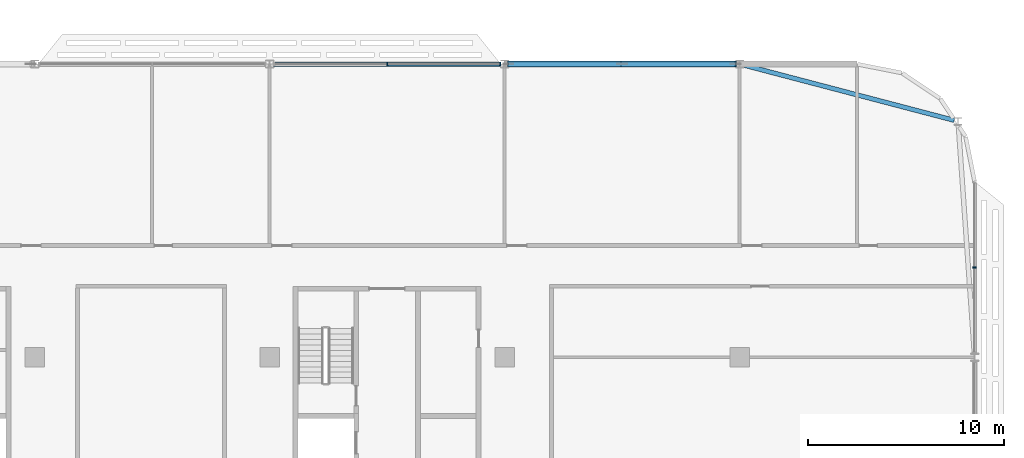
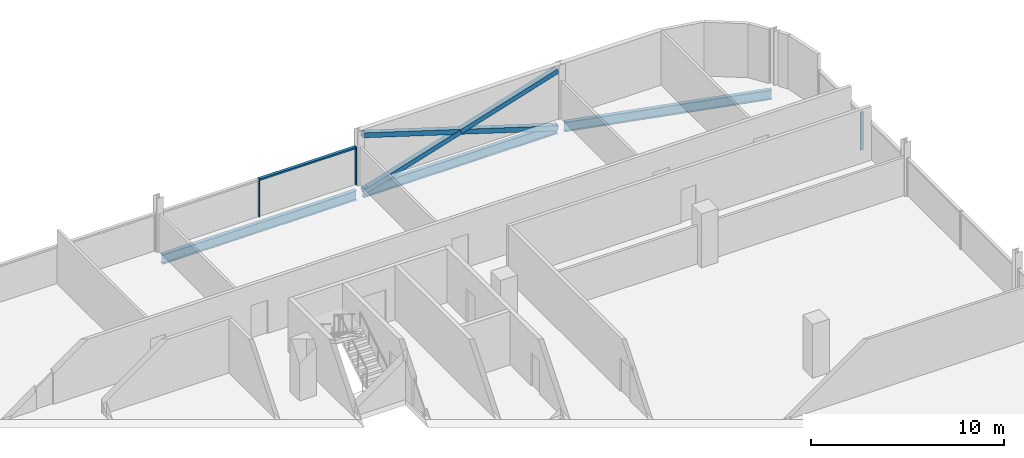
# One storey, part 14 of 33: 7 members, 3 beams, 2 elements without a shape of their own.
"""IFC4 building model written with IfcOpenShell, lengths in metres."""

from ifc_helpers import new_model, si_unit, direction, frame, origin, origin_2d, place, context, subcontext, project, spatial, rectangle, hollow_rectangle, i_section, extrude, material, material_profile, profile_set, type_object, element, aggregate, save


model = new_model("IFC4")

# Units and contexts
model_context = context("Model", 3, precision=1e-05, world=origin(), true_north=direction((0.0, 1.0)))
body_context = subcontext(model_context, "Body", "Model", "MODEL_VIEW")
ifc_project = project(units=[si_unit("LENGTHUNIT", "METRE"), si_unit("AREAUNIT", "SQUARE_METRE"), si_unit("VOLUMEUNIT", "CUBIC_METRE"), si_unit("PLANEANGLEUNIT", "RADIAN"), si_unit("MASSUNIT", "GRAM", prefix="KILO")], contexts=[model_context])

# Site, building, storey
site_placement = place(None, origin())
site = spatial("IfcSite", under=ifc_project, at=site_placement, CompositionType="ELEMENT")
building_placement = place(site_placement, origin())
building = spatial("IfcBuilding", under=site, at=building_placement, Name="Mahtab Terrace Research Tower", CompositionType="ELEMENT")
storey_placement = place(building_placement, frame((0.0, 0.0, 255.199951171875)))
storey = spatial("IfcBuildingStorey", under=building, at=storey_placement, Name="L62", CompositionType="ELEMENT", Elevation=255.199951171875)

# Members
ifc_material_1 = material(Name="Steel ASTM A500 Gr C", Category="steel")
ifc_material_profile_1 = material_profile(ifc_material_1, hollow_rectangle(XDim=0.3046875, YDim=0.3046875, WallThickness=0.015869140625, at=origin_2d()), Name="HSS12X12X5/8")
ifc_profile_set_1 = profile_set([ifc_material_profile_1], Name="Steel ASTM A500 Gr C")
member_type_1 = type_object("IfcMemberType", Name="HSS 12x12x5/8 brace XB121258", PredefinedType="BRACE", material=ifc_profile_set_1)
member_1_placement = place(storey_placement, frame((41.800537109375, 26.472900390625, -0.581298828125), z_axis=(-0.954704930232, 0.0, 0.297554190343), x_axis=(0.0, -1.0, 0.0)))
element("IfcMember", 1, at=member_1_placement, inside=storey, type_object=member_type_1, Name="Exoskeleton brace L62 02 a", PredefinedType="BRACE", context=body_context, shape_type="SweptSolid", body=[
    extrude(hollow_rectangle(XDim=0.3046875, YDim=0.3046875, WallThickness=0.015869140625, at=origin_2d()), origin(), (0.0, 0.0, 1.0), 12.1513671875),
])
for number, where, z_axis, x_axis, name in (
    (2, (30.199462890625, 26.472900390625, -0.581298828125), (0.954704930232, 0.0, 0.297554190343), (0.0, 1.0, 0.0), "Exoskeleton brace L62 02 b1"),
    (3, (36.0, 26.472900390625, 1.2265625), (0.954704930232, 0.0, 0.297554190343), (0.0, 1.0, 0.0), "Exoskeleton brace L62 02 b2"),
):
    element("IfcMember", number, at=place(storey_placement, frame(where, z_axis=z_axis, x_axis=x_axis)), inside=storey, type_object=member_type_1, Name=name, PredefinedType="BRACE", context=body_context, shape_type="SweptSolid", body=[
        extrude(hollow_rectangle(XDim=0.3046875, YDim=0.3046875, WallThickness=0.015869140625, at=origin_2d()), origin(), (0.0, 0.0, 1.0), 6.07568359375),
    ])

# Curtain wall, members
ifc_material_2 = material(Name="Office ribbon curtain wall")
curtain_wall_type = type_object("IfcCurtainWallType", Name="Office ribbon curtain wall", PredefinedType="NOTDEFINED", material=ifc_material_2)
curtain_wall_1_placement = place(storey_placement, origin())
curtain_wall_1 = element("IfcCurtainWall", 4, at=curtain_wall_1_placement, inside=storey, type_object=curtain_wall_type, Name="EN.L62.3.6", PredefinedType="NOTDEFINED")
ifc_material_3 = material(Name="Natural anodised aluminium", Category="aluminium")
ifc_material_profile_2 = material_profile(ifc_material_3, rectangle(XDim=0.179931640625, YDim=0.06005859375, at=origin_2d()), Name="MULLION 60x180")
ifc_profile_set_2 = profile_set([ifc_material_profile_2], Name="Natural anodised aluminium")
member_type_2 = type_object("IfcMemberType", Name="Office ribbon curtain wall mullion", PredefinedType="MULLION", material=ifc_profile_set_2)
member_2_placement = place(storey_placement, frame((29.777099609375, 26.472900390625, 0.0), z_axis=(0.0, 0.0, 1.0), x_axis=(0.0, -1.0, 0.0)))
member_2 = element("IfcMember", 5, at=member_2_placement, type_object=member_type_2, Name="CWO-7 mullion 1", PredefinedType="MULLION", context=body_context, shape_type="SweptSolid", body=[
    extrude(rectangle(XDim=0.179931640625, YDim=0.06005859375, at=origin_2d()), origin(), (0.0, 0.0, 1.0), 2.4013671875),
])
member_3_placement = place(storey_placement, frame((24.0, 26.472900390625, 0.0), z_axis=(0.0, 0.0, 1.0), x_axis=(0.0, -1.0, 0.0)))
member_3 = element("IfcMember", 6, at=member_3_placement, type_object=member_type_2, Name="CWO-7 mullion 2", PredefinedType="MULLION", context=body_context, shape_type="SweptSolid", body=[
    extrude(rectangle(XDim=0.179931640625, YDim=0.06005859375, at=origin_2d()), origin(), (0.0, 0.0, 1.0), 2.4013671875),
])

# Curtain wall, member
curtain_wall_2_placement = place(storey_placement, origin())
curtain_wall_2 = element("IfcCurtainWall", 7, at=curtain_wall_2_placement, inside=storey, type_object=curtain_wall_type, Name="EN.L62.18.40", PredefinedType="NOTDEFINED")
member_4_placement = place(storey_placement, frame((54.0, 16.0830078125, 0.0), z_axis=(0.0, 0.0, 1.0), x_axis=(-1.0, 0.0, 0.0)))
member_4 = element("IfcMember", 8, at=member_4_placement, type_object=member_type_2, Name="CWO-7 mullion 2", PredefinedType="MULLION", context=body_context, shape_type="SweptSolid", body=[
    extrude(rectangle(XDim=0.179931640625, YDim=0.06005859375, at=origin_2d()), origin(), (0.0, 0.0, 1.0), 2.4013671875),
])
aggregate(curtain_wall_2, [member_4])

# Member
ifc_material_profile_3 = material_profile(ifc_material_3, rectangle(XDim=0.179931640625, YDim=0.10009765625, at=origin_2d()), Name="TRANSOM 100x180")
ifc_profile_set_3 = profile_set([ifc_material_profile_3], Name="Natural anodised aluminium")
member_type_3 = type_object("IfcMemberType", Name="Office ribbon curtain wall transom", PredefinedType="USERDEFINED", material=ifc_profile_set_3)
member_5_placement = place(storey_placement, frame((29.7470703125, 26.472900390625, 2.351318359375), z_axis=(-1.0, 0.0, 0.0), x_axis=(0.0, -1.0, 0.0)))
member_5 = element("IfcMember", 9, at=member_5_placement, type_object=member_type_3, Name="CWO-7 transom 1", ObjectType="TRANSOM", PredefinedType="USERDEFINED", context=body_context, shape_type="SweptSolid", body=[
    extrude(rectangle(XDim=0.179931640625, YDim=0.10009765625, at=origin_2d()), origin(), (0.0, 0.0, 1.0), 5.717041015625),
])

aggregate(curtain_wall_1, [member_2, member_3, member_5])

# Beams
ifc_material_4 = material(Name="Steel ASTM A992 Gr 50", Category="steel")
ifc_material_profile_4 = material_profile(ifc_material_4, i_section(OverallWidth=0.228271484375, OverallDepth=0.607177734375, WebThickness=0.01123046875, FlangeThickness=0.017333984375, at=origin_2d()), Name="W24X76")
ifc_profile_set_4 = profile_set([ifc_material_profile_4], Name="Steel ASTM A992 Gr 50")
beam_type = type_object("IfcBeamType", Name="W24x76 beam BS2476", PredefinedType="BEAM", material=ifc_profile_set_4)
beam_placement = place(storey_placement, frame((52.95458984375, 23.598388671875, -0.6435546875), z_axis=(-0.967252058434, 0.253817760323, 0.0), x_axis=(-0.253817760323, -0.967252058434, 0.0)))
element("IfcBeam", 10, at=beam_placement, inside=storey, type_object=beam_type, Name="Spandrel beam L62 01", PredefinedType="BEAM", context=body_context, shape_type="SweptSolid", body=[
    extrude(i_section(OverallWidth=0.228271484375, OverallDepth=0.607177734375, WebThickness=0.01123046875, FlangeThickness=0.017333984375, at=origin_2d()), origin(), (0.0, 0.0, 1.0), 11.119140625),
])
for number, where, z_axis, x_axis, name in (
    (11, (41.800537109375, 26.472900390625, -0.6435546875), (-1.0, 0.0, 0.0), (0.0, -1.0, 0.0), "Spandrel beam L62 02"),
    (12, (29.800537109375, 26.472900390625, -0.6435546875), (-1.0, 0.0, 0.0), (0.0, -1.0, 0.0), "Spandrel beam L62 03"),
):
    element("IfcBeam", number, at=place(storey_placement, frame(where, z_axis=z_axis, x_axis=x_axis)), inside=storey, type_object=beam_type, Name=name, PredefinedType="BEAM", context=body_context, shape_type="SweptSolid", body=[
        extrude(i_section(OverallWidth=0.228271484375, OverallDepth=0.607177734375, WebThickness=0.01123046875, FlangeThickness=0.017333984375, at=origin_2d()), origin(), (0.0, 0.0, 1.0), 11.60107421875),
    ])

save(model, "model.ifc")
